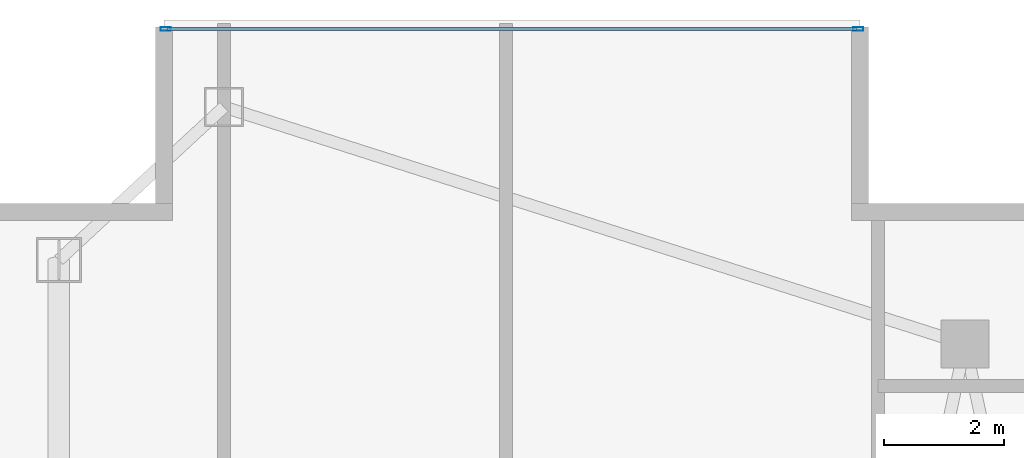
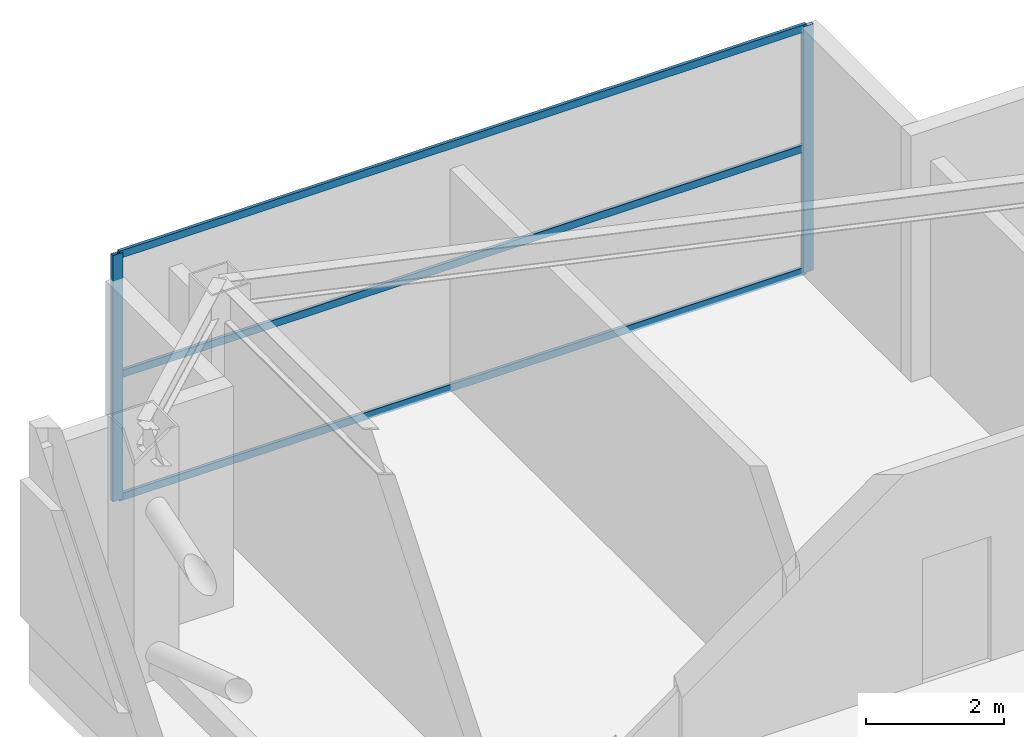
# One storey, part 8 of 15: 5 members, 1 element without a shape of its own.
"""IFC4 building model written with IfcOpenShell, lengths in metres."""

from ifc_helpers import new_model, si_unit, direction, frame, origin, origin_2d, place, context, subcontext, project, spatial, hollow_rectangle, extrude, material, layer, layer_set, material_profile, profile_set, type_object, element, aggregate, save


model = new_model("IFC4")

# Units and contexts
model_context = context("Model", 3, precision=1e-05, world=origin(), true_north=direction((0.0, 1.0)))
body_context = subcontext(model_context, "Body", "Model", "MODEL_VIEW")
ifc_project = project(units=[si_unit("LENGTHUNIT", "METRE"), si_unit("AREAUNIT", "SQUARE_METRE"), si_unit("VOLUMEUNIT", "CUBIC_METRE"), si_unit("PLANEANGLEUNIT", "RADIAN"), si_unit("MASSUNIT", "GRAM", prefix="KILO")], contexts=[model_context])

# Site, building, storey
site_placement = place(None, origin())
site = spatial("IfcSite", under=ifc_project, at=site_placement, CompositionType="ELEMENT")
building_placement = place(site_placement, origin())
building = spatial("IfcBuilding", under=site, at=building_placement, Name="Calvorn Quay Hotel", CompositionType="ELEMENT")
storey_placement = place(building_placement, frame((0.0, 0.0, 282.5)))
storey = spatial("IfcBuildingStorey", under=building, at=storey_placement, Name="L70", CompositionType="ELEMENT", Elevation=282.5)

# Curtain wall, members
ifc_material_1 = material(Name="Champagne Bronze Anodised Aluminium and Low-E Glass", Category="aluminium")
ifc_layer = layer(ifc_material_1, 0.219970703125)
ifc_layer_set = layer_set([ifc_layer], Name="CW-SYS-Z4")
curtain_wall_type = type_object("IfcCurtainWallType", Name="CW-SYS-Z4", PredefinedType="NOTDEFINED", material=ifc_layer_set)
curtain_wall_placement = place(storey_placement, origin())
curtain_wall = element("IfcCurtainWall", 1, at=curtain_wall_placement, inside=storey, type_object=curtain_wall_type, Name="Inner Court Curtain Wall L70-N1", PredefinedType="NOTDEFINED")
ifc_material_2 = material(Name="Champagne Bronze Anodised Aluminium 6063-T6", Category="aluminium")
ifc_material_profile_1 = material_profile(ifc_material_2, hollow_rectangle(XDim=0.06494140625, YDim=0.169921875, WallThickness=0.00341796875, at=origin_2d()), Name="ALU-M170x65x3.5")
ifc_profile_set_1 = profile_set([ifc_material_profile_1], Name="Champagne Bronze Anodised Aluminium 6063-T6")
member_type_1 = type_object("IfcMemberType", Name="CW-SYS-Z4-MUL", PredefinedType="MULLION", material=ifc_profile_set_1)
member_1_placement = place(storey_placement, frame((14.77001953125, 50.85009765625, 0.0), z_axis=(0.0, 0.0, 1.0), x_axis=(0.0, -1.0, 0.0)))
member_1 = element("IfcMember", 2, at=member_1_placement, type_object=member_type_1, Name="CW-L70-N1 mullion 1", PredefinedType="MULLION", context=body_context, shape_type="SweptSolid", body=[
    extrude(hollow_rectangle(XDim=0.06494140625, YDim=0.169921875, WallThickness=0.00341796875, at=origin_2d()), origin(), (0.0, 0.0, 1.0), 4.35009765625),
])
member_2_placement = place(storey_placement, frame((3.22998046875, 50.85009765625, 0.0), z_axis=(0.0, 0.0, 1.0), x_axis=(0.0, -1.0, 0.0)))
member_2 = element("IfcMember", 3, at=member_2_placement, type_object=member_type_1, Name="CW-L70-N1 mullion 2", PredefinedType="MULLION", context=body_context, shape_type="SweptSolid", body=[
    extrude(hollow_rectangle(XDim=0.06494140625, YDim=0.169921875, WallThickness=0.00341796875, at=origin_2d()), origin(), (0.0, 0.0, 1.0), 4.35009765625),
])
ifc_material_3 = material(Name="Champagne Bronze Anodised Aluminium 6063-T6", Category="aluminium")
ifc_material_profile_2 = material_profile(ifc_material_3, hollow_rectangle(XDim=0.054931640625, YDim=0.1298828125, WallThickness=0.003173828125, at=origin_2d()), Name="ALU-T130x55x3.2")
ifc_profile_set_2 = profile_set([ifc_material_profile_2], Name="Champagne Bronze Anodised Aluminium 6063-T6")
member_type_2 = type_object("IfcMemberType", Name="CW-SYS-Z4-TRN", PredefinedType="USERDEFINED", material=ifc_profile_set_2)
member_3_placement = place(storey_placement, frame((14.739990234375, 50.85009765625, 0.030029296875), z_axis=(-1.0, 0.0, 0.0), x_axis=(0.0, -1.0, 0.0)))
member_3 = element("IfcMember", 4, at=member_3_placement, type_object=member_type_2, Name="CW-L70-N1 transom 1.1", ObjectType="TRANSOM", PredefinedType="USERDEFINED", context=body_context, shape_type="SweptSolid", body=[
    extrude(hollow_rectangle(XDim=0.054931640625, YDim=0.1298828125, WallThickness=0.003173828125, at=origin_2d()), origin(), (0.0, 0.0, 1.0), 11.47998046875),
])
member_4_placement = place(storey_placement, frame((14.739990234375, 50.85009765625, 2.199951171875), z_axis=(-1.0, 0.0, 0.0), x_axis=(0.0, -1.0, 0.0)))
member_4 = element("IfcMember", 5, at=member_4_placement, type_object=member_type_2, Name="CW-L70-N1 transom 1.2", ObjectType="TRANSOM", PredefinedType="USERDEFINED", context=body_context, shape_type="SweptSolid", body=[
    extrude(hollow_rectangle(XDim=0.054931640625, YDim=0.1298828125, WallThickness=0.003173828125, at=origin_2d()), origin(), (0.0, 0.0, 1.0), 11.47998046875),
])
member_5_placement = place(storey_placement, frame((14.739990234375, 50.85009765625, 4.320068359375), z_axis=(-1.0, 0.0, 0.0), x_axis=(0.0, -1.0, 0.0)))
member_5 = element("IfcMember", 6, at=member_5_placement, type_object=member_type_2, Name="CW-L70-N1 transom 1.3", ObjectType="TRANSOM", PredefinedType="USERDEFINED", context=body_context, shape_type="SweptSolid", body=[
    extrude(hollow_rectangle(XDim=0.054931640625, YDim=0.1298828125, WallThickness=0.003173828125, at=origin_2d()), origin(), (0.0, 0.0, 1.0), 11.47998046875),
])
aggregate(curtain_wall, [member_1, member_2, member_3, member_4, member_5])

save(model, "model.ifc")
